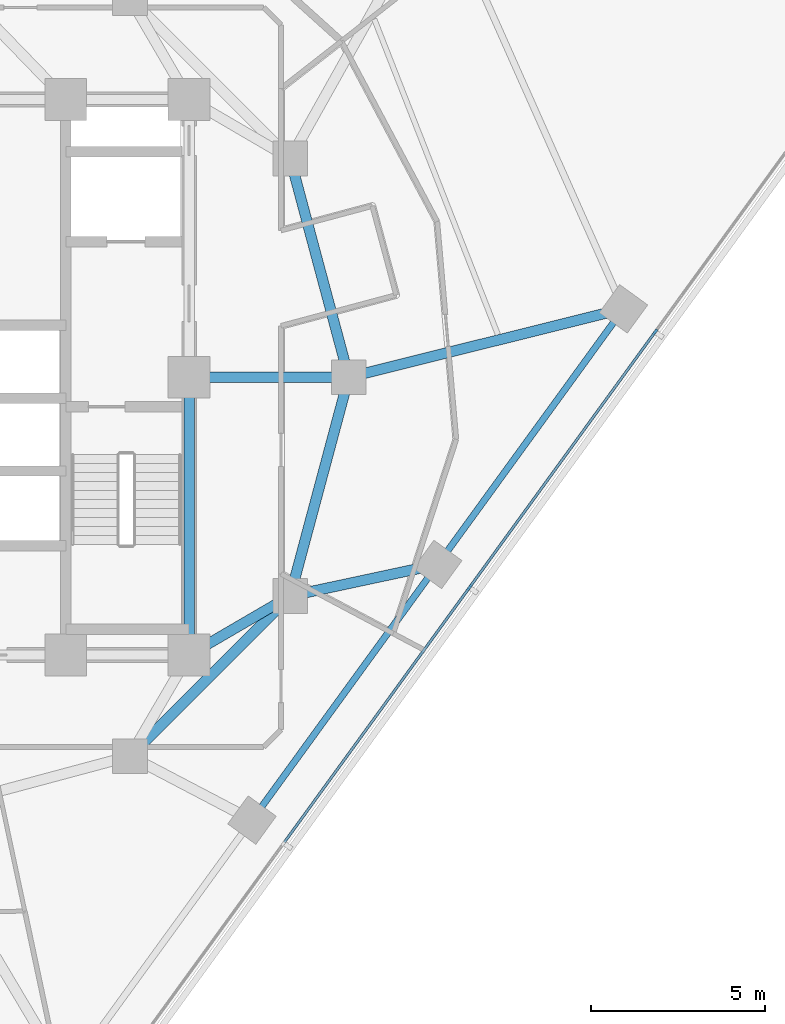
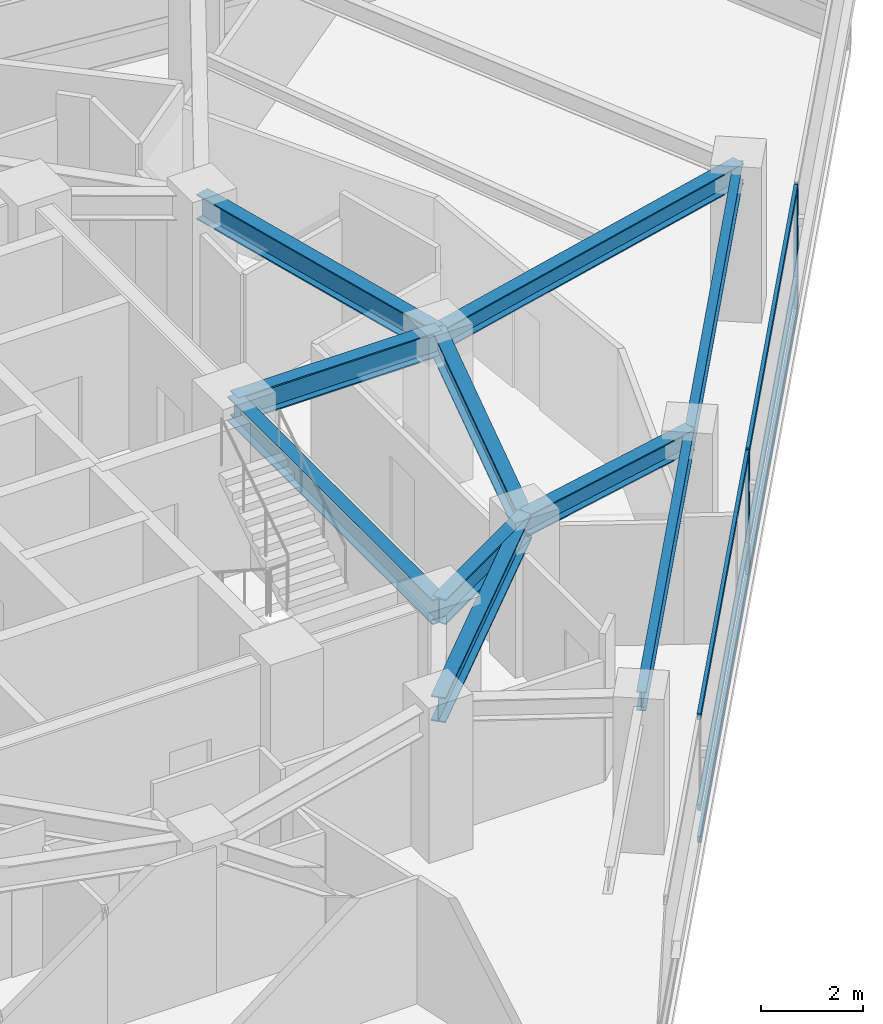
# One storey, part 4 of 14: 10 beams, 8 members, 1 element without a shape of its own.
"""IFC4 building model written with IfcOpenShell, lengths in metres."""

from ifc_helpers import new_model, si_unit, direction, frame, origin, origin_2d, place, context, subcontext, project, spatial, rectangle, i_section, extrude, material, layer, layer_set, material_profile, profile_set, type_object, element, aggregate, save


model = new_model("IFC4")

# Units and contexts
model_context = context("Model", 3, precision=1e-05, world=origin(), true_north=direction((0.0, 1.0)))
body_context = subcontext(model_context, "Body", "Model", "MODEL_VIEW")
ifc_project = project(units=[si_unit("LENGTHUNIT", "METRE"), si_unit("AREAUNIT", "SQUARE_METRE"), si_unit("VOLUMEUNIT", "CUBIC_METRE"), si_unit("PLANEANGLEUNIT", "RADIAN"), si_unit("MASSUNIT", "GRAM", prefix="KILO")], contexts=[model_context])

# Site, building, storey
site_placement = place(None, origin())
site = spatial("IfcSite", under=ifc_project, at=site_placement, CompositionType="ELEMENT")
building_placement = place(site_placement, origin())
building = spatial("IfcBuilding", under=site, at=building_placement, Name="Terralouvre Media Tower", CompositionType="ELEMENT")
storey_placement = place(building_placement, frame((0.0, 0.0, 226.300048828125)))
storey = spatial("IfcBuildingStorey", under=building, at=storey_placement, Name="L58", CompositionType="ELEMENT", Elevation=226.300048828125)

# Curtain wall, members
ifc_material_1 = material(Name="Low-iron laminated double glazing with solar-control coating", Category="glass")
ifc_layer = layer(ifc_material_1, 0.1650390625, Name="Upper Executive Tower Curtain Wall CW-05")
ifc_layer_set = layer_set([ifc_layer], Name="Low-iron laminated double glazing with solar-control coating")
curtain_wall_type = type_object("IfcCurtainWallType", Name="Upper Executive Tower Curtain Wall CW-05", PredefinedType="NOTDEFINED", material=ifc_layer_set)
curtain_wall_placement = place(storey_placement, origin())
curtain_wall = element("IfcCurtainWall", 1, at=curtain_wall_placement, inside=storey, type_object=curtain_wall_type, Name="L58 Facade Curtain Wall F0", PredefinedType="NOTDEFINED")
ifc_material_2 = material(Name="Anodised extruded aluminium 6063-T6", Category="aluminium")
ifc_material_profile_1 = material_profile(ifc_material_2, rectangle(XDim=0.074951171875, YDim=0.14990234375, at=origin_2d()), Name="ALU 75x150")
ifc_profile_set_1 = profile_set([ifc_material_profile_1], Name="Anodised extruded aluminium 6063-T6")
member_type_1 = type_object("IfcMemberType", Name="Curtain-Wall Horizontal Transom TR-150", PredefinedType="USERDEFINED", material=ifc_profile_set_1)
member_1_placement = place(storey_placement, frame((10.748779296875, -13.38720703125, 0.037353515625), z_axis=(0.587772727709, 0.809026093869, 0.0), x_axis=(-0.809026093869, 0.587772727709, 0.0)))
member_1 = element("IfcMember", 2, at=member_1_placement, type_object=member_type_1, Name="CW-05 transom 3.1", ObjectType="TRANSOM", PredefinedType="USERDEFINED", context=body_context, shape_type="SweptSolid", body=[
    extrude(rectangle(XDim=0.074951171875, YDim=0.14990234375, at=origin_2d()), origin(), (0.0, 0.0, 1.0), 9.025146484375),
])
member_2_placement = place(storey_placement, frame((10.748779296875, -13.38720703125, 0.800048828125), z_axis=(0.587772727709, 0.809026093869, 0.0), x_axis=(-0.809026093869, 0.587772727709, 0.0)))
member_2 = element("IfcMember", 3, at=member_2_placement, type_object=member_type_1, Name="CW-05 transom 3.2", ObjectType="TRANSOM", PredefinedType="USERDEFINED", context=body_context, shape_type="SweptSolid", body=[
    extrude(rectangle(XDim=0.074951171875, YDim=0.14990234375, at=origin_2d()), origin(), (0.0, 0.0, 1.0), 9.025146484375),
])
member_3_placement = place(storey_placement, frame((10.748779296875, -13.38720703125, 2.96240234375), z_axis=(0.587772727709, 0.809026093869, 0.0), x_axis=(-0.809026093869, 0.587772727709, 0.0)))
member_3 = element("IfcMember", 4, at=member_3_placement, type_object=member_type_1, Name="CW-05 transom 3.3", ObjectType="TRANSOM", PredefinedType="USERDEFINED", context=body_context, shape_type="SweptSolid", body=[
    extrude(rectangle(XDim=0.074951171875, YDim=0.14990234375, at=origin_2d()), origin(), (0.0, 0.0, 1.0), 9.025146484375),
])
member_4_placement = place(storey_placement, frame((16.09765625, -6.025146484375, 0.037353515625), z_axis=(0.587772727709, 0.809026093869, 0.0), x_axis=(-0.809026093869, 0.587772727709, 0.0)))
member_4 = element("IfcMember", 5, at=member_4_placement, type_object=member_type_1, Name="CW-05 transom 4.1", ObjectType="TRANSOM", PredefinedType="USERDEFINED", context=body_context, shape_type="SweptSolid", body=[
    extrude(rectangle(XDim=0.074951171875, YDim=0.14990234375, at=origin_2d()), origin(), (0.0, 0.0, 1.0), 9.025146484375),
])
member_5_placement = place(storey_placement, frame((16.09765625, -6.025146484375, 0.800048828125), z_axis=(0.587772727709, 0.809026093869, 0.0), x_axis=(-0.809026093869, 0.587772727709, 0.0)))
member_5 = element("IfcMember", 6, at=member_5_placement, type_object=member_type_1, Name="CW-05 transom 4.2", ObjectType="TRANSOM", PredefinedType="USERDEFINED", context=body_context, shape_type="SweptSolid", body=[
    extrude(rectangle(XDim=0.074951171875, YDim=0.14990234375, at=origin_2d()), origin(), (0.0, 0.0, 1.0), 9.025146484375),
])
member_6_placement = place(storey_placement, frame((16.09765625, -6.025146484375, 2.96240234375), z_axis=(0.587772727709, 0.809026093869, 0.0), x_axis=(-0.809026093869, 0.587772727709, 0.0)))
member_6 = element("IfcMember", 7, at=member_6_placement, type_object=member_type_1, Name="CW-05 transom 4.3", ObjectType="TRANSOM", PredefinedType="USERDEFINED", context=body_context, shape_type="SweptSolid", body=[
    extrude(rectangle(XDim=0.074951171875, YDim=0.14990234375, at=origin_2d()), origin(), (0.0, 0.0, 1.0), 9.025146484375),
])
ifc_material_3 = material(Name="Anodised extruded aluminium 6063-T6", Category="aluminium")
ifc_material_profile_2 = material_profile(ifc_material_3, rectangle(XDim=0.074951171875, YDim=0.179931640625, at=origin_2d()), Name="ALU 75x180")
ifc_profile_set_2 = profile_set([ifc_material_profile_2], Name="Anodised extruded aluminium 6063-T6")
member_type_2 = type_object("IfcMemberType", Name="Curtain-Wall Vertical Mullion ML-180", PredefinedType="MULLION", material=ifc_profile_set_2)
member_7_placement = place(storey_placement, frame((16.075439453125, -6.055419921875, 0.0), z_axis=(0.0, 0.0, 1.0), x_axis=(-0.809016959074, 0.587785300879, 0.0)))
member_7 = element("IfcMember", 8, at=member_7_placement, type_object=member_type_2, Name="CW-05 mullion 4", PredefinedType="MULLION", context=body_context, shape_type="SweptSolid", body=[
    extrude(rectangle(XDim=0.074951171875, YDim=0.179931640625, at=origin_2d()), origin(), (0.0, 0.0, 1.0), 3.0),
])
member_8_placement = place(storey_placement, frame((21.42431640625, 1.306640625, 0.0), z_axis=(0.0, 0.0, 1.0), x_axis=(-0.809016959074, 0.587785300879, 0.0)))
member_8 = element("IfcMember", 9, at=member_8_placement, type_object=member_type_2, Name="CW-05 mullion 5", PredefinedType="MULLION", context=body_context, shape_type="SweptSolid", body=[
    extrude(rectangle(XDim=0.074951171875, YDim=0.179931640625, at=origin_2d()), origin(), (0.0, 0.0, 1.0), 3.0),
])
aggregate(curtain_wall, [member_7, member_8, member_1, member_2, member_3, member_4, member_5, member_6])

# Beams
ifc_material_4 = material(Name="Structural steel S355J2", Category="steel")
ifc_material_profile_3 = material_profile(ifc_material_4, i_section(OverallWidth=0.18994140625, OverallDepth=0.449951171875, WebThickness=0.009521484375, FlangeThickness=0.0146484375, at=origin_2d()), Name="IPE 450")
ifc_profile_set_3 = profile_set([ifc_material_profile_3], Name="Structural steel S355J2")
beam_type_1 = type_object("IfcBeamType", Name="Perimeter Spandrel Beam SPB-450 (IPE 450)", PredefinedType="SPANDREL", material=ifc_profile_set_3)
for number, where, z_axis, x_axis, name in (
    (10, (9.8125, -12.75341796875, 3.27490234375), (0.587787185033, 0.809015590153, 0.0), (-0.809015590153, 0.587787185033, 0.0), "L58 Framing Beam BM-L58-PR05"),
    (11, (15.161376953125, -5.391357421875, 3.27490234375), (0.587787185033, 0.809015590153, 0.0), (-0.809015590153, 0.587787185033, 0.0), "L58 Framing Beam BM-L58-PR06"),
):
    element("IfcBeam", number, at=place(storey_placement, frame(where, z_axis=z_axis, x_axis=x_axis)), inside=storey, type_object=beam_type_1, Name=name, PredefinedType="SPANDREL", context=body_context, shape_type="SweptSolid", body=[
        extrude(i_section(OverallWidth=0.18994140625, OverallDepth=0.449951171875, WebThickness=0.009521484375, FlangeThickness=0.0146484375, at=origin_2d()), origin(), (0.0, 0.0, 1.0), 9.10009765625),
    ])
ifc_material_5 = material(Name="Structural steel S355J2", Category="steel")
ifc_material_profile_4 = material_profile(ifc_material_5, i_section(OverallWidth=0.300048828125, OverallDepth=0.5, WebThickness=0.014404296875, FlangeThickness=0.028076171875, at=origin_2d()), Name="HEB 500")
ifc_profile_set_4 = profile_set([ifc_material_profile_4], Name="Structural steel S355J2")
beam_type_2 = type_object("IfcBeamType", Name="Primary Floor Girder B-HEB500 (HEB 500)", PredefinedType="BEAM", material=ifc_profile_set_4)
beam_1_placement = place(storey_placement, frame((10.911865234375, -6.300048828125, 3.25), z_axis=(0.977892761282, 0.209107023871, 0.0), x_axis=(-0.209107023871, 0.977892761282, 0.0)))
element("IfcBeam", 12, at=beam_1_placement, inside=storey, type_object=beam_type_2, Name="L58 Framing Beam BM-L58-RD06", PredefinedType="BEAM", context=body_context, shape_type="SweptSolid", body=[
    extrude(i_section(OverallWidth=0.300048828125, OverallDepth=0.5, WebThickness=0.014404296875, FlangeThickness=0.028076171875, at=origin_2d()), origin(), (0.0, 0.0, 1.0), 4.345458984375),
])
beam_2_placement = place(storey_placement, frame((12.60009765625, 0.0, 3.25), z_axis=(0.970339488521, 0.24174630714, 0.0), x_axis=(-0.24174630714, 0.970339488521, 0.0)))
element("IfcBeam", 13, at=beam_2_placement, inside=storey, type_object=beam_type_2, Name="L58 Framing Beam BM-L58-RD07", PredefinedType="BEAM", context=body_context, shape_type="SweptSolid", body=[
    extrude(i_section(OverallWidth=0.300048828125, OverallDepth=0.5, WebThickness=0.014404296875, FlangeThickness=0.028076171875, at=origin_2d()), origin(), (0.0, 0.0, 1.0), 8.15185546875),
])
ifc_material_6 = material(Name="Structural steel S460M", Category="steel")
ifc_material_profile_5 = material_profile(ifc_material_6, i_section(OverallWidth=0.300048828125, OverallDepth=0.60009765625, WebThickness=0.015380859375, FlangeThickness=0.030029296875, at=origin_2d()), Name="HEB 600")
ifc_profile_set_5 = profile_set([ifc_material_profile_5], Name="Structural steel S460M")
beam_type_3 = type_object("IfcBeamType", Name="Primary Floor Girder B-HEB600 (HEB 600)", PredefinedType="BEAM", material=ifc_profile_set_5)
beam_3_placement = place(storey_placement, frame((8.0, -8.0, 3.199951171875), z_axis=(0.0, 1.0, 0.0), x_axis=(-1.0, 0.0, 0.0)))
element("IfcBeam", 14, at=beam_3_placement, inside=storey, type_object=beam_type_3, Name="L58 Framing Beam BM-L58-CPR04", PredefinedType="BEAM", context=body_context, shape_type="SweptSolid", body=[
    extrude(i_section(OverallWidth=0.300048828125, OverallDepth=0.60009765625, WebThickness=0.015380859375, FlangeThickness=0.030029296875, at=origin_2d()), origin(), (0.0, 0.0, 1.0), 8.0),
])
beam_4_placement = place(storey_placement, frame((6.300048828125, -10.911865234375, 3.199951171875), z_axis=(0.707106781187, 0.707106781187, 0.0), x_axis=(-0.707106781187, 0.707106781187, 0.0)))
element("IfcBeam", 15, at=beam_4_placement, inside=storey, type_object=beam_type_3, Name="L58 Framing Beam BM-L58-MR04", PredefinedType="BEAM", context=body_context, shape_type="SweptSolid", body=[
    extrude(i_section(OverallWidth=0.300048828125, OverallDepth=0.60009765625, WebThickness=0.015380859375, FlangeThickness=0.030029296875, at=origin_2d()), origin(), (0.0, 0.0, 1.0), 6.52197265625),
])
for number, where, z_axis, x_axis, name in (
    (16, (10.911865234375, -6.300048828125, 3.199951171875), (0.258838989821, 0.965920481897, 0.0), (-0.965920481897, 0.258838989821, 0.0), "L58 Framing Beam BM-L58-MR05"),
    (17, (12.60009765625, 0.0, 3.199951171875), (-0.258838989821, 0.965920481897, 0.0), (-0.965920481897, -0.258838989821, 0.0), "L58 Framing Beam BM-L58-MR06"),
):
    element("IfcBeam", number, at=place(storey_placement, frame(where, z_axis=z_axis, x_axis=x_axis)), inside=storey, type_object=beam_type_3, Name=name, PredefinedType="BEAM", context=body_context, shape_type="SweptSolid", body=[
        extrude(i_section(OverallWidth=0.300048828125, OverallDepth=0.60009765625, WebThickness=0.015380859375, FlangeThickness=0.030029296875, at=origin_2d()), origin(), (0.0, 0.0, 1.0), 6.522216796875),
    ])
beam_5_placement = place(storey_placement, frame((8.0, -8.0, 3.199951171875), z_axis=(0.863602894532, 0.504172629717, 0.0), x_axis=(-0.504172629717, 0.863602894532, 0.0)))
element("IfcBeam", 18, at=beam_5_placement, inside=storey, type_object=beam_type_3, Name="L58 Framing Beam BM-L58-CM05", PredefinedType="BEAM", context=body_context, shape_type="SweptSolid", body=[
    extrude(i_section(OverallWidth=0.300048828125, OverallDepth=0.60009765625, WebThickness=0.015380859375, FlangeThickness=0.030029296875, at=origin_2d()), origin(), (0.0, 0.0, 1.0), 3.371826171875),
])
beam_6_placement = place(storey_placement, frame((8.0, 0.0, 3.199951171875), z_axis=(1.0, 0.0, 0.0), x_axis=(0.0, 1.0, 0.0)))
element("IfcBeam", 19, at=beam_6_placement, inside=storey, type_object=beam_type_3, Name="L58 Framing Beam BM-L58-CM06", PredefinedType="BEAM", context=body_context, shape_type="SweptSolid", body=[
    extrude(i_section(OverallWidth=0.300048828125, OverallDepth=0.60009765625, WebThickness=0.015380859375, FlangeThickness=0.030029296875, at=origin_2d()), origin(), (0.0, 0.0, 1.0), 4.60009765625),
])

save(model, "model.ifc")
